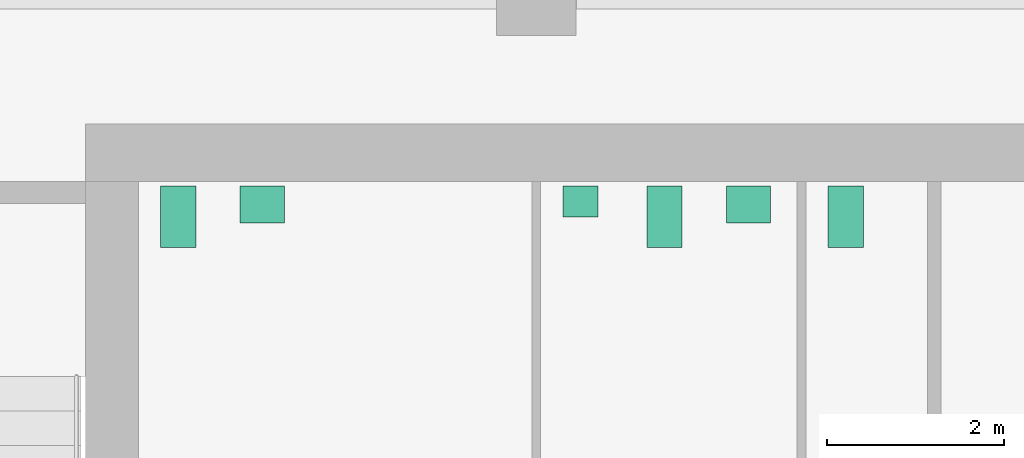
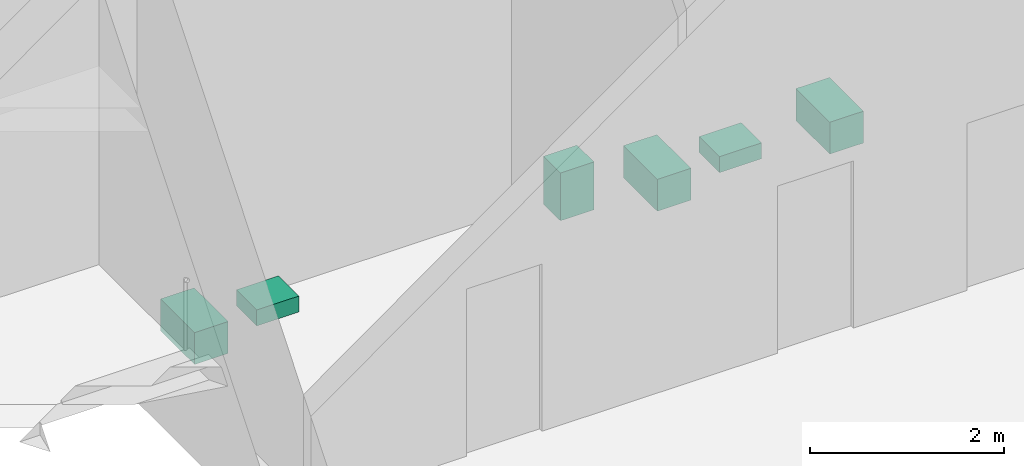
# One storey, part 8 of 8: 6 sanitary terminals.
"""IFC4 building model written with IfcOpenShell, lengths in metres."""

from ifc_helpers import new_model, si_unit, direction, frame, origin, origin_2d, place, context, subcontext, project, spatial, rectangle, extrude, material, type_object, element, save


model = new_model("IFC4")

# Units and contexts
model_context = context("Model", 3, precision=1e-05, world=origin(), true_north=direction((0.0, 1.0)))
body_context = subcontext(model_context, "Body", "Model", "MODEL_VIEW")
ifc_project = project(units=[si_unit("LENGTHUNIT", "METRE"), si_unit("AREAUNIT", "SQUARE_METRE"), si_unit("VOLUMEUNIT", "CUBIC_METRE"), si_unit("PLANEANGLEUNIT", "RADIAN"), si_unit("MASSUNIT", "GRAM", prefix="KILO")], contexts=[model_context])

# Site, building, storey
site_placement = place(None, origin())
site = spatial("IfcSite", under=ifc_project, at=site_placement, CompositionType="ELEMENT")
building_placement = place(site_placement, origin())
building = spatial("IfcBuilding", under=site, at=building_placement, Name="Cinnabar Reach Civic Tower", CompositionType="ELEMENT")
storey_placement = place(building_placement, frame((0.0, 0.0, 193.0)))
storey = spatial("IfcBuildingStorey", under=building, at=storey_placement, Name="L46", CompositionType="ELEMENT", Elevation=193.0)

# Sanitary terminals
ifc_material = material(Name="Vitreous china")
sanitary_terminal_type_1 = type_object("IfcSanitaryTerminalType", Name="T1 WC pan", PredefinedType="TOILETPAN", material=ifc_material)
for number, where, z_axis, x_axis, name in (
    (1, (4.95, 41.6, 0.0), (0.0, 0.0, 1.0), (1.0, 0.0, 0.0), "T1 WC pan 4608-1"),
    (2, (10.45, 41.6, 0.0), (0.0, 0.0, 1.0), (1.0, 0.0, 0.0), "T1 WC pan 4609-2"),
    (3, (12.5, 41.6, 0.0), (0.0, 0.0, 1.0), (1.0, 0.0, 0.0), "T1 WC pan 4610-1"),
):
    element("IfcSanitaryTerminal", number, at=place(storey_placement, frame(where, z_axis=z_axis, x_axis=x_axis)), inside=storey, type_object=sanitary_terminal_type_1, Name=name, PredefinedType="TOILETPAN", context=body_context, shape_type="SweptSolid", body=[
        extrude(rectangle(XDim=0.4, YDim=0.7, at=origin_2d()), origin(), (0.0, 0.0, 1.0), 0.4),
    ])
sanitary_terminal_type_2 = type_object("IfcSanitaryTerminalType", Name="T1 urinal", PredefinedType="URINAL", material=ifc_material)
sanitary_terminal_placement = place(storey_placement, frame((9.5, 41.775, 0.0), z_axis=(0.0, 0.0, 1.0), x_axis=(1.0, 0.0, 0.0)))
element("IfcSanitaryTerminal", 4, at=sanitary_terminal_placement, inside=storey, type_object=sanitary_terminal_type_2, Name="T1 urinal 4609-1", PredefinedType="URINAL", context=body_context, shape_type="SweptSolid", body=[
    extrude(rectangle(XDim=0.4, YDim=0.35, at=origin_2d()), origin(), (0.0, 0.0, 1.0), 0.6),
])
sanitary_terminal_type_3 = type_object("IfcSanitaryTerminalType", Name="T1 wash basin", PredefinedType="WASHHANDBASIN", material=ifc_material)
for number, where, z_axis, x_axis, name in (
    (5, (5.9, 41.74, 0.0), (0.0, 0.0, 1.0), (1.0, 0.0, 0.0), "T1 wash basin 4608-2"),
    (6, (11.4, 41.74, 0.0), (0.0, 0.0, 1.0), (1.0, 0.0, 0.0), "T1 wash basin 4609-3"),
):
    element("IfcSanitaryTerminal", number, at=place(storey_placement, frame(where, z_axis=z_axis, x_axis=x_axis)), inside=storey, type_object=sanitary_terminal_type_3, Name=name, PredefinedType="WASHHANDBASIN", context=body_context, shape_type="SweptSolid", body=[
        extrude(rectangle(XDim=0.5, YDim=0.42, at=origin_2d()), origin(), (0.0, 0.0, 1.0), 0.2),
    ])

save(model, "model.ifc")
